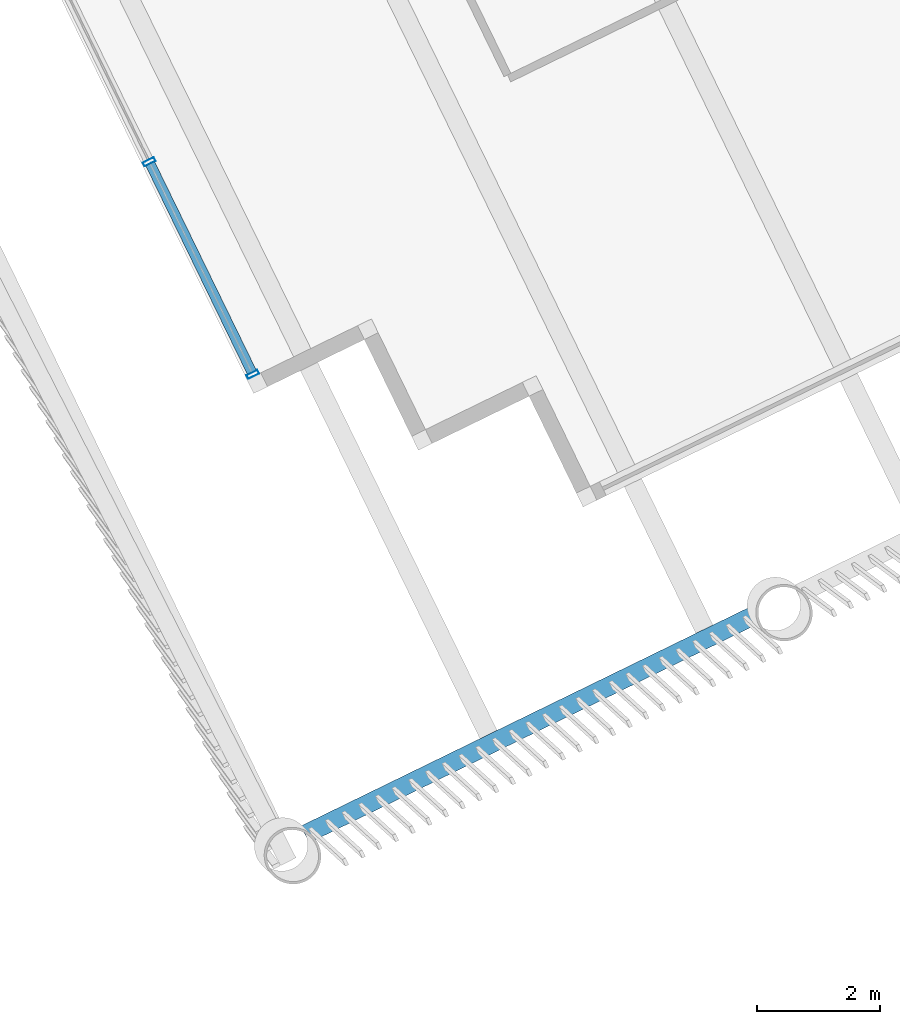
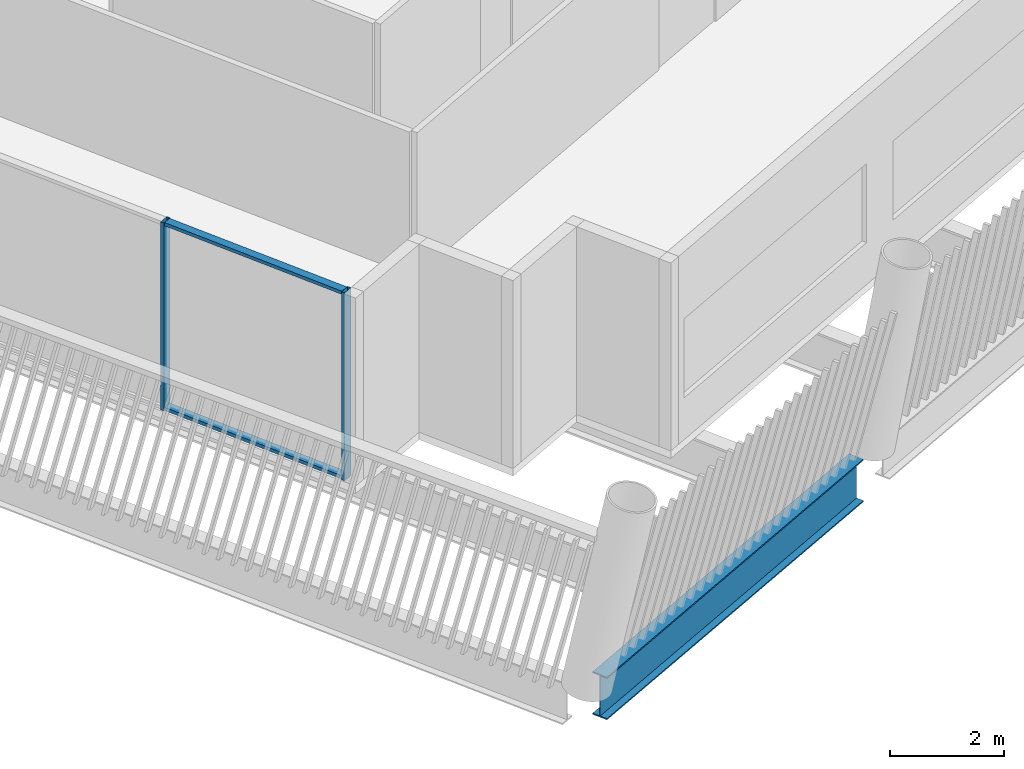
# One storey, part 2 of 31: 4 members, 1 beam, 1 element without a shape of its own.
"""IFC4 building model written with IfcOpenShell, lengths in metres."""

import ifcopenshell
import ifcopenshell.guid

model = None  # the IFC model being written
_history = None  # IfcOwnerHistory: only IFC2X3 demands one
_inside = {}  # id of a spatial element -> (the spatial element, [elements in it])
_under = {}  # id of a project, library or spatial element -> (it, [spatial elements below it])
_declared = {}  # id of a project -> (the project, [libraries it declares])
_typed = {}  # id of a type object -> (the type object, [elements of that type])
_made_of = {}  # id of a material, layer set ... -> (it, [elements and type objects made of it])


def new_model(schema):
    """Start an empty IFC model of exactly this schema.

    Asked for "IFC4X3", IfcOpenShell would pick the latest addendum, in which some entities
    have other attributes; the version numbers below select the first issue.
    IFC2X3 requires an IfcOwnerHistory on every rooted entity: one is made here for all.
    """
    global model, _history
    if schema == "IFC4X3":
        model = ifcopenshell.file(schema_version=(4, 3, 0, 0))
    else:
        model = ifcopenshell.file(schema=schema)
    _inside.clear()
    _under.clear()
    _declared.clear()
    _typed.clear()
    _made_of.clear()
    _history = None
    if model.schema == "IFC2X3":
        org = make("IfcOrganization", Name="unknown")
        user = make(
            "IfcPersonAndOrganization",
            ThePerson=make("IfcPerson", FamilyName="unknown"),
            TheOrganization=org,
        )
        app = make(
            "IfcApplication",
            ApplicationDeveloper=org,
            Version="unknown",
            ApplicationFullName="unknown",
            ApplicationIdentifier="unknown",
        )
        _history = make(
            "IfcOwnerHistory",
            OwningUser=user,
            OwningApplication=app,
            ChangeAction="ADDED",
            CreationDate=0,
        )
    return model


def make(cls, **values):
    """One entity of the class cls with the attributes given. An attribute that is None is left unset."""
    return model.create_entity(
        cls, **{name: value for name, value in values.items() if value is not None}
    )


def rooted(cls, **values):
    """An entity with a GlobalId (a new one), such as an element, a storey or a relation."""
    return make(cls, GlobalId=ifcopenshell.guid.new(), OwnerHistory=_history, **values)


def si_unit(unit_type, name, prefix=None):
    """IfcSIUnit, for example si_unit("LENGTHUNIT", "METRE", prefix="MILLI")."""
    return make("IfcSIUnit", UnitType=unit_type, Prefix=prefix, Name=name)


def assignment(units):
    """IfcUnitAssignment: the units of a project."""
    return None if units is None else make("IfcUnitAssignment", Units=units)


def point(xyz):
    """IfcCartesianPoint."""
    return None if xyz is None else make("IfcCartesianPoint", Coordinates=xyz)


def direction(xyz):
    """IfcDirection."""
    return None if xyz is None else make("IfcDirection", DirectionRatios=xyz)


def frame(location, z_axis=None, x_axis=None):
    """IfcAxis2Placement3D, a coordinate frame: its origin and axes. An axis left out is left unset."""
    return make(
        "IfcAxis2Placement3D",
        Location=point(location),
        Axis=direction(z_axis),
        RefDirection=direction(x_axis),
    )


def frame_2d(location, x_axis=None):
    """IfcAxis2Placement2D, a coordinate frame in the plane: its origin and x axis."""
    return make(
        "IfcAxis2Placement2D", Location=point(location), RefDirection=direction(x_axis)
    )


def origin():
    """The frame at (0, 0, 0) with its axes left unset."""
    return frame((0.0, 0.0, 0.0))


def origin_2d():
    """The frame at (0, 0) in the plane with its x axis left unset."""
    return frame_2d((0.0, 0.0))


def place(relative_to, where):
    """IfcLocalPlacement: puts the frame where relative to a parent placement (None: the world)."""
    return make(
        "IfcLocalPlacement", PlacementRelTo=relative_to, RelativePlacement=where
    )


def context(
    kind, dimensions, precision=None, world=None, true_north=None, identifier=None
):
    """IfcGeometricRepresentationContext, for example the 3D "Model" context."""
    return make(
        "IfcGeometricRepresentationContext",
        ContextIdentifier=identifier,
        ContextType=kind,
        CoordinateSpaceDimension=dimensions,
        Precision=precision,
        WorldCoordinateSystem=world,
        TrueNorth=true_north,
    )


def subcontext(parent, identifier, kind, view, scale=None):
    """IfcGeometricRepresentationSubContext, for example "Body" below "Model"."""
    return make(
        "IfcGeometricRepresentationSubContext",
        ContextIdentifier=identifier,
        ContextType=kind,
        ParentContext=parent,
        TargetScale=scale,
        TargetView=view,
    )


def project(units=None, contexts=None):
    """IfcProject with its units and contexts."""
    return rooted(
        "IfcProject",
        Name="project",
        RepresentationContexts=contexts,
        UnitsInContext=assignment(units),
    )


def spatial(cls, under=None, at=None, **own):
    """A site, building, storey or space (cls), placed at a placement, below another one or the project."""
    s = rooted(cls, ObjectPlacement=at, **own)
    if under is not None:
        _under.setdefault(under.id(), (under, []))[1].append(s)
    return s


def profile(cls, at=None, kind="AREA", **sizes):
    """A parametric profile (cls). Its sizes go by their IFC names, for example OverallWidth=200.0."""
    return make(cls, ProfileType=kind, Position=at, **sizes)


def hollow_rectangle(**sizes):
    """IfcRectangleHollowProfileDef."""
    return profile("IfcRectangleHollowProfileDef", **sizes)


def i_section(**sizes):
    """IfcIShapeProfileDef."""
    return profile("IfcIShapeProfileDef", **sizes)


def extrude(swept, where, along, depth):
    """IfcExtrudedAreaSolid: the profile swept, set in the frame where, extruded along a direction by depth."""
    return make(
        "IfcExtrudedAreaSolid",
        SweptArea=swept,
        Position=where,
        ExtrudedDirection=direction(along),
        Depth=depth,
    )


def shape(context_of_items, identifier, shape_type, items):
    """IfcShapeRepresentation: the items that make up one representation, for example the "Body"."""
    return make(
        "IfcShapeRepresentation",
        ContextOfItems=context_of_items,
        RepresentationIdentifier=identifier,
        RepresentationType=shape_type,
        Items=items,
    )


def material(Name=None, Category=None):
    """IfcMaterial."""
    return make("IfcMaterial", Name=Name, Category=Category)


def layer(
    of_material, thickness, ventilated=None, Name=None, Category=None, Priority=None
):
    """IfcMaterialLayer: one layer of a wall or slab, of a material (None: an air gap)."""
    return make(
        "IfcMaterialLayer",
        Material=of_material,
        LayerThickness=thickness,
        IsVentilated=ventilated,
        Name=Name,
        Category=Category,
        Priority=Priority,
    )


def layer_set(layers, Name=None):
    """IfcMaterialLayerSet."""
    return make("IfcMaterialLayerSet", MaterialLayers=layers, LayerSetName=Name)


def material_profile(
    of_material, cross_section, Name=None, Category=None, Priority=None
):
    """IfcMaterialProfile: a cross section and its material."""
    return make(
        "IfcMaterialProfile",
        Name=Name,
        Material=of_material,
        Profile=cross_section,
        Priority=Priority,
        Category=Category,
    )


def profile_set(profiles, Name=None, composite=None):
    """IfcMaterialProfileSet."""
    return make(
        "IfcMaterialProfileSet",
        Name=Name,
        MaterialProfiles=profiles,
        CompositeProfile=composite,
    )


def made_of(thing, what):
    """Note that an element or type object is made of a material, layer set ...; save() writes the relation."""
    if what is not None:
        _made_of.setdefault(what.id(), (what, []))[1].append(thing)
    return thing


def type_object(cls, material=None, **own):
    """A type object (cls), such as IfcWallType, which elements share."""
    return made_of(rooted(cls, **own), material)


def element(
    cls,
    number,
    at=None,
    inside=None,
    cuts=None,
    type_object=None,
    material=None,
    context=None,
    identifier="Body",
    shape_type=None,
    held_by="IfcProductDefinitionShape",
    body=None,
    shapes=None,
    **own,
):
    """One element of the class cls, such as IfcWall. Its Tag is "e" and its number.

    at: its placement. inside: the storey or other place that contains it. cuts: it is an
    opening in that element (IfcRelVoidsElement). A single representation is given by context,
    identifier, shape_type and body (its items); several are given by shapes. held_by: the class
    of the entity that holds the representations. save() writes the other relations.
    """
    e = rooted(cls, Tag="e%d" % number, ObjectPlacement=at, **own)
    if body is not None:
        shapes = [shape(context, identifier, shape_type, body)]
    if shapes is not None:
        e.Representation = make(held_by, Representations=shapes)
    if inside is not None:
        _inside.setdefault(inside.id(), (inside, []))[1].append(e)
    if cuts is not None:
        rooted(
            "IfcRelVoidsElement", RelatingBuildingElement=cuts, RelatedOpeningElement=e
        )
    if type_object is not None:
        _typed.setdefault(type_object.id(), (type_object, []))[1].append(e)
    return made_of(e, material)


def aggregate(whole, parts):
    """IfcRelAggregates: a whole, such as a stair, and the parts it consists of."""
    return rooted("IfcRelAggregates", RelatingObject=whole, RelatedObjects=parts)


def save(model, path):
    """Write the relations noted so far, then the file.

    IfcRelAggregates (storeys below a building ...), IfcRelContainedInSpatialStructure (elements
    in a storey), IfcRelDefinesByType, IfcRelAssociatesMaterial and IfcRelDeclares: one each for
    every whole, place, type object, material and project.
    """
    for whole, parts in _under.values():
        aggregate(whole, parts)
    for where, things in _inside.values():
        rooted(
            "IfcRelContainedInSpatialStructure",
            RelatedElements=things,
            RelatingStructure=where,
        )
    for kind, things in _typed.values():
        rooted("IfcRelDefinesByType", RelatedObjects=things, RelatingType=kind)
    for what, things in _made_of.values():
        rooted("IfcRelAssociatesMaterial", RelatedObjects=things, RelatingMaterial=what)
    for by, libraries in _declared.values():
        rooted("IfcRelDeclares", RelatingContext=by, RelatedDefinitions=libraries)
    model.write(path)


model = new_model("IFC4")

# Units and contexts
model_context = context("Model", 3, precision=1e-05, world=origin(), true_north=direction((0.0, 1.0)))
body_context = subcontext(model_context, "Body", "Model", "MODEL_VIEW")
ifc_project = project(units=[si_unit("LENGTHUNIT", "METRE"), si_unit("AREAUNIT", "SQUARE_METRE"), si_unit("VOLUMEUNIT", "CUBIC_METRE"), si_unit("PLANEANGLEUNIT", "RADIAN"), si_unit("MASSUNIT", "GRAM", prefix="KILO")], contexts=[model_context])

# Site, building, storey
site_placement = place(None, origin())
site = spatial("IfcSite", under=ifc_project, at=site_placement, CompositionType="ELEMENT")
building_placement = place(site_placement, origin())
building = spatial("IfcBuilding", under=site, at=building_placement, Name="Tarsis Ring Headquarters", CompositionType="ELEMENT")
storey_placement = place(building_placement, frame((0.0, 0.0, 390.199951171875)))
storey = spatial("IfcBuildingStorey", under=building, at=storey_placement, Name="L92", CompositionType="ELEMENT", Elevation=390.199951171875)

# Curtain wall, members
ifc_material_1 = material(Name="Aluminium curtain wall", Category="aluminium")
ifc_layer = layer(ifc_material_1, 0.199951171875)
ifc_layer_set = layer_set([ifc_layer], Name="Curtain wall executive tip")
curtain_wall_type = type_object("IfcCurtainWallType", Name="Curtain wall executive tip", PredefinedType="NOTDEFINED", material=ifc_layer_set)
curtain_wall_placement = place(storey_placement, origin())
curtain_wall = element("IfcCurtainWall", 1, at=curtain_wall_placement, inside=storey, type_object=curtain_wall_type, Name="Curtain wall L92-36", PredefinedType="NOTDEFINED")
ifc_material_2 = material(Name="Aluminium mullion", Category="aluminium")
ifc_material_profile_1 = material_profile(ifc_material_2, hollow_rectangle(XDim=0.199951171875, YDim=0.070068359375, WallThickness=0.0048828125, at=origin_2d()), Name="RHS 200x70x5")
ifc_profile_set_1 = profile_set([ifc_material_profile_1], Name="Aluminium mullion")
member_type_1 = type_object("IfcMemberType", Name="Curtain wall mullion executive tip RHS 200x70x5", PredefinedType="MULLION", material=ifc_profile_set_1)
member_1_placement = place(storey_placement, frame((-34.140625, -20.962890625, 0.0), z_axis=(0.0, 0.0, 1.0), x_axis=(0.898794031686, 0.438371176751, 0.0)))
member_1 = element("IfcMember", 2, at=member_1_placement, type_object=member_type_1, Name="CW-E mullion 4", PredefinedType="MULLION", context=body_context, shape_type="SweptSolid", body=[
    extrude(hollow_rectangle(XDim=0.199951171875, YDim=0.070068359375, WallThickness=0.0048828125, at=origin_2d()), origin(), (0.0, 0.0, 1.0), 4.0400390625),
])
member_2_placement = place(storey_placement, frame((-32.457275390625, -24.414306640625, 0.0), z_axis=(0.0, 0.0, 1.0), x_axis=(0.898794031686, 0.438371176751, 0.0)))
member_2 = element("IfcMember", 3, at=member_2_placement, type_object=member_type_1, Name="CW-E mullion 5", PredefinedType="MULLION", context=body_context, shape_type="SweptSolid", body=[
    extrude(hollow_rectangle(XDim=0.199951171875, YDim=0.070068359375, WallThickness=0.0048828125, at=origin_2d()), origin(), (0.0, 0.0, 1.0), 4.0400390625),
])
ifc_material_3 = material(Name="Aluminium transom", Category="aluminium")
ifc_material_profile_2 = material_profile(ifc_material_3, hollow_rectangle(XDim=0.159912109375, YDim=0.070068359375, WallThickness=0.0048828125, at=origin_2d()), Name="RHS 160x70x5")
ifc_profile_set_2 = profile_set([ifc_material_profile_2], Name="Aluminium transom")
member_type_2 = type_object("IfcMemberType", Name="Curtain wall transom executive tip RHS 160x70x5", PredefinedType="USERDEFINED", material=ifc_profile_set_2)
member_3_placement = place(storey_placement, frame((-34.12548828125, -20.994384765625, 0.03515625), z_axis=(0.438410873336, -0.898774669281, 0.0), x_axis=(0.898774669281, 0.438410873336, 0.0)))
member_3 = element("IfcMember", 4, at=member_3_placement, type_object=member_type_2, Name="CW-E transom 4.1", ObjectType="TRANSOM", PredefinedType="USERDEFINED", context=body_context, shape_type="SweptSolid", body=[
    extrude(hollow_rectangle(XDim=0.159912109375, YDim=0.070068359375, WallThickness=0.0048828125, at=origin_2d()), origin(), (0.0, 0.0, 1.0), 3.77001953125),
])
member_4_placement = place(storey_placement, frame((-34.12548828125, -20.994384765625, 4.005126953125), z_axis=(0.438410873336, -0.898774669281, 0.0), x_axis=(0.898774669281, 0.438410873336, 0.0)))
member_4 = element("IfcMember", 5, at=member_4_placement, type_object=member_type_2, Name="CW-E transom 4.2", ObjectType="TRANSOM", PredefinedType="USERDEFINED", context=body_context, shape_type="SweptSolid", body=[
    extrude(hollow_rectangle(XDim=0.159912109375, YDim=0.070068359375, WallThickness=0.0048828125, at=origin_2d()), origin(), (0.0, 0.0, 1.0), 3.77001953125),
])
aggregate(curtain_wall, [member_1, member_2, member_3, member_4])

# Beam
ifc_material_4 = material(Name="Structural steel S355", Category="steel")
ifc_material_profile_3 = material_profile(ifc_material_4, i_section(OverallWidth=0.3046875, OverallDepth=0.91943359375, WebThickness=0.017333984375, FlangeThickness=0.02783203125, at=origin_2d()), Name="W36x170")
ifc_profile_set_3 = profile_set([ifc_material_profile_3], Name="Structural steel S355")
beam_type = type_object("IfcBeamType", Name="XG Ring girder W36x170", PredefinedType="BEAM", material=ifc_profile_set_3)
beam_placement = place(storey_placement, frame((-31.610595703125, -31.884033203125, -0.459716796875), z_axis=(0.898789645482, 0.438380169687, 0.0), x_axis=(-0.438380169687, 0.898789645482, 0.0)))
element("IfcBeam", 6, at=beam_placement, inside=storey, type_object=beam_type, Name="Ring girder XG4", PredefinedType="BEAM", context=body_context, shape_type="SweptSolid", body=[
    extrude(i_section(OverallWidth=0.3046875, OverallDepth=0.91943359375, WebThickness=0.017333984375, FlangeThickness=0.02783203125, at=origin_2d()), origin(), (0.0, 0.0, 1.0), 8.0791015625),
])

save(model, "model.ifc")
